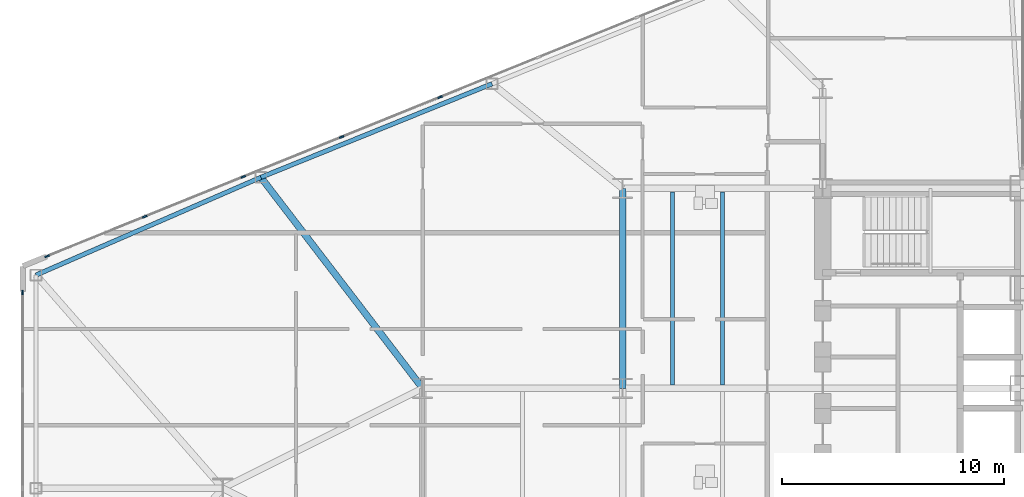
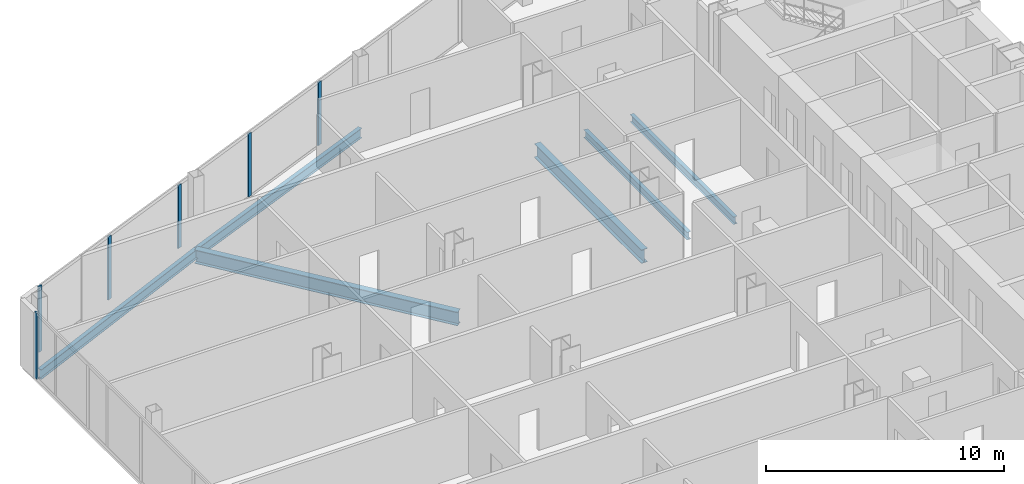
# One storey, part 6 of 25: 6 beams, 6 members, 2 elements without a shape of their own.
"""IFC4 building model written with IfcOpenShell, lengths in metres."""

from ifc_helpers import new_model, si_unit, direction, frame, origin, origin_2d, place, context, subcontext, project, spatial, rectangle, i_section, extrude, source, transform, mapped, material, layer, layer_set, material_profile, profile_set, type_object, type_shapes, element, aggregate, save


model = new_model("IFC4")

# Units and contexts
model_context = context("Model", 3, precision=1e-05, world=origin(), true_north=direction((0.0, 1.0)))
body_context = subcontext(model_context, "Body", "Model", "MODEL_VIEW")
ifc_project = project(units=[si_unit("LENGTHUNIT", "METRE"), si_unit("AREAUNIT", "SQUARE_METRE"), si_unit("VOLUMEUNIT", "CUBIC_METRE"), si_unit("PLANEANGLEUNIT", "RADIAN"), si_unit("MASSUNIT", "GRAM", prefix="KILO")], contexts=[model_context])

# Site, building, storey
site_placement = place(None, origin())
site = spatial("IfcSite", under=ifc_project, at=site_placement, CompositionType="ELEMENT")
building_placement = place(site_placement, origin())
building = spatial("IfcBuilding", under=site, at=building_placement, Name="Seokmaru Belvedere", CompositionType="ELEMENT")
storey_placement = place(building_placement, frame((0.0, 0.0, 36.89990234375)))
storey = spatial("IfcBuildingStorey", under=building, at=storey_placement, Name="L09", CompositionType="ELEMENT", Elevation=36.89990234375)

# Beams
ifc_material_1 = material(Name="Steel SM355 (355 MPa)", Category="steel")
ifc_material_profile_1 = material_profile(ifc_material_1, i_section(OverallWidth=0.300048828125, OverallDepth=0.699951171875, WebThickness=0.012939453125, FlangeThickness=0.02392578125, at=origin_2d()), Name="H-700x300x13x24")
ifc_profile_set_1 = profile_set([ifc_material_profile_1], Name="Steel SM355 (355 MPa)")
beam_type_1 = type_object("IfcBeamType", Name="Primary Floor Girder H-700", PredefinedType="BEAM", material=ifc_profile_set_1)
shared_shape_1 = source(origin(), body_context, "Body", "SweptSolid", [
    extrude(i_section(OverallWidth=0.300048828125, OverallDepth=0.699951171875, WebThickness=0.012939453125, FlangeThickness=0.02392578125, at=origin_2d()), origin(), (0.0, 0.0, 1.0), 9.0),
])
beam_1_placement = place(storey_placement, frame((-45.5, 4.5, -0.56982421875), z_axis=(0.0, 1.0, 0.0), x_axis=(-1.0, 0.0, 0.0)))
element("IfcBeam", 1, at=beam_1_placement, inside=storey, type_object=beam_type_1, Name="L09 W Interior Grid Girder 3", PredefinedType="BEAM", context=body_context, shape_type="MappedRepresentation", body=[
    mapped(shared_shape_1, transform((0.0, 0.0, 0.0), scale=1.0)),
])
ifc_material_profile_2 = material_profile(ifc_material_1, i_section(OverallWidth=0.18505859375, OverallDepth=0.389892578125, WebThickness=0.008056640625, FlangeThickness=0.011962890625, at=origin_2d()), Name="H-390x185x8x12")
ifc_profile_set_2 = profile_set([ifc_material_profile_2], Name="Steel SM355 (355 MPa)")
beam_type_2 = type_object("IfcBeamType", Name="Secondary Floor Joist H-350", PredefinedType="JOIST", material=ifc_profile_set_2)
shared_shape_2 = source(origin(), body_context, "Body", "SweptSolid", [
    extrude(i_section(OverallWidth=0.18505859375, OverallDepth=0.389892578125, WebThickness=0.008056640625, FlangeThickness=0.011962890625, at=origin_2d()), origin(), (0.0, 0.0, 1.0), 8.68994140625),
])
type_shapes(beam_type_2, [shared_shape_2])
for number, where, z_axis, x_axis, name in (
    (2, (-43.25, 4.655029296875, -0.414794921875), (0.0, 1.0, 0.0), (-1.0, 0.0, 0.0), "L09 W Wing Inner Secondary Joist 2"),
    (3, (-41.0, 4.655029296875, -0.414794921875), (0.0, 1.0, 0.0), (-1.0, 0.0, 0.0), "L09 W Secondary Floor Joist 3"),
):
    element("IfcBeam", number, at=place(storey_placement, frame(where, z_axis=z_axis, x_axis=x_axis)), inside=storey, type_object=beam_type_2, Name=name, PredefinedType="JOIST", context=body_context, shape_type="MappedRepresentation", body=[
        mapped(shared_shape_2, transform((0.0, 0.0, 0.0), scale=1.0)),
    ])
ifc_material_profile_3 = material_profile(ifc_material_1, i_section(OverallWidth=0.199951171875, OverallDepth=0.5, WebThickness=0.010009765625, FlangeThickness=0.01611328125, at=origin_2d()), Name="H-500x200x10x16")
ifc_profile_set_3 = profile_set([ifc_material_profile_3], Name="Steel SM355 (355 MPa)")
beam_type_3 = type_object("IfcBeamType", Name="Perimeter Spandrel Beam H-500", PredefinedType="SPANDREL", material=ifc_profile_set_3)
shared_shape_3 = source(origin(), body_context, "Body", "SweptSolid", [
    extrude(i_section(OverallWidth=0.199951171875, OverallDepth=0.5, WebThickness=0.010009765625, FlangeThickness=0.01611328125, at=origin_2d()), origin(), (0.0, 0.0, 1.0), 11.220703125),
])
beam_2_placement = place(storey_placement, frame((-51.378173828125, 18.2041015625, -0.469970703125), z_axis=(-0.926944290816, -0.375198989503, 0.0), x_axis=(0.375198989503, -0.926944290816, 0.0)))
element("IfcBeam", 4, at=beam_2_placement, inside=storey, type_object=beam_type_3, Name="L09 W Faceted Flank Spandrel N-3", PredefinedType="SPANDREL", context=body_context, shape_type="MappedRepresentation", body=[
    mapped(shared_shape_3, transform((0.0, 0.0, 0.0), scale=1.0)),
])
shared_shape_4 = source(origin(), body_context, "Body", "SweptSolid", [
    extrude(i_section(OverallWidth=0.199951171875, OverallDepth=0.5, WebThickness=0.010009765625, FlangeThickness=0.01611328125, at=origin_2d()), origin(), (0.0, 0.0, 1.0), 11.035400390625),
])
type_shapes(beam_type_3, [shared_shape_3, shared_shape_4])
beam_3_placement = place(storey_placement, frame((-61.779052734375, 13.994140625, -0.469970703125), z_axis=(-0.917134058682, -0.398578873507, 0.0), x_axis=(0.398578873507, -0.917134058682, 0.0)))
element("IfcBeam", 5, at=beam_3_placement, inside=storey, type_object=beam_type_3, Name="L09 W Faceted Flank Spandrel N-4", PredefinedType="SPANDREL", context=body_context, shape_type="MappedRepresentation", body=[
    mapped(shared_shape_4, transform((0.0, 0.0, 0.0), scale=1.0)),
])
shared_shape_5 = source(origin(), body_context, "Body", "SweptSolid", [
    extrude(i_section(OverallWidth=0.300048828125, OverallDepth=0.699951171875, WebThickness=0.012939453125, FlangeThickness=0.02392578125, at=origin_2d()), origin(), (0.0, 0.0, 1.0), 11.96337890625),
])
type_shapes(beam_type_1, [shared_shape_1, shared_shape_5])
beam_4_placement = place(storey_placement, frame((-61.779052734375, 13.994140625, -0.56982421875), z_axis=(0.608442682624, -0.793597821294, 0.0), x_axis=(0.793597821294, 0.608442682624, 0.0)))
element("IfcBeam", 6, at=beam_4_placement, inside=storey, type_object=beam_type_1, Name="L09 W Flank Radial Floor Girder N-3", PredefinedType="BEAM", context=body_context, shape_type="MappedRepresentation", body=[
    mapped(shared_shape_5, transform((0.0, 0.0, 0.0), scale=1.0)),
])

# Curtain wall, member
ifc_material_2 = material(Name="Bronze Triple Insulating Glass", Category="glass")
ifc_layer = layer(ifc_material_2, 0.2099609375)
ifc_layer_set = layer_set([ifc_layer], Name="Bronze Triple Insulating Glass")
curtain_wall_type = type_object("IfcCurtainWallType", Name="Low-Rise Faceted Crystal Curtain Wall System CW-2", PredefinedType="NOTDEFINED", material=ifc_layer_set)
curtain_wall_1_placement = place(storey_placement, origin())
curtain_wall_1 = element("IfcCurtainWall", 7, at=curtain_wall_1_placement, inside=storey, type_object=curtain_wall_type, Name="L09 Curtain Wall WF3", PredefinedType="NOTDEFINED")
ifc_material_3 = material(Name="Anodised Bronze Aluminium", Category="aluminium")
ifc_material_profile_4 = material_profile(ifc_material_3, rectangle(XDim=0.074951171875, YDim=0.2099609375, at=origin_2d()), Name="CW-M-75x210")
ifc_profile_set_4 = profile_set([ifc_material_profile_4], Name="Anodised Bronze Aluminium")
member_type = type_object("IfcMemberType", Name="Bronze Unitised Mullion 75x210", PredefinedType="MULLION", material=ifc_profile_set_4)
shared_shape_6 = source(origin(), body_context, "Body", "SweptSolid", [
    extrude(rectangle(XDim=0.074951171875, YDim=0.2099609375, at=origin_2d()), origin(), (0.0, 0.0, 1.0), 3.380126953125),
])
member_1_placement = place(storey_placement, frame((-71.399169921875, 10.445556640625, 0.0), z_axis=(0.0, 0.0, 1.0), x_axis=(0.375192321888, -0.926946989637, 0.0)))
member_1 = element("IfcMember", 8, at=member_1_placement, type_object=member_type, Name="CW:L09:WF3 Mullion 10", PredefinedType="MULLION", context=body_context, shape_type="MappedRepresentation", body=[
    mapped(shared_shape_6, transform((0.0, 0.0, 0.0), scale=1.0)),
])

curtain_wall_2_placement = place(storey_placement, origin())
curtain_wall_2 = element("IfcCurtainWall", 9, at=curtain_wall_2_placement, inside=storey, type_object=curtain_wall_type, Name="L09 Curtain Wall WF4", PredefinedType="NOTDEFINED")
member_2_placement = place(storey_placement, frame((-72.5, 8.8125, 0.0), z_axis=(0.0, 0.0, 1.0), x_axis=(1.0, 0.0, 0.0)))
member_2 = element("IfcMember", 10, at=member_2_placement, type_object=member_type, Name="CW:L09:WF4 Mullion 1", PredefinedType="MULLION", context=body_context, shape_type="MappedRepresentation", body=[
    mapped(shared_shape_6, transform((0.0, 0.0, 0.0), scale=1.0)),
])
aggregate(curtain_wall_2, [member_2])

# Member
shared_shape_7 = source(origin(), body_context, "Body", "SweptSolid", [
    extrude(rectangle(XDim=0.074951171875, YDim=0.2099609375, at=origin_2d()), origin(), (0.0, 0.0, 1.0), 3.239990234375),
])
type_shapes(member_type, [shared_shape_6, shared_shape_7])
member_3_placement = place(storey_placement, frame((-53.71484375, 17.603515625, 0.070068359375), z_axis=(0.0, 0.0, 1.0), x_axis=(0.375192321888, -0.926946989637, 0.0)))
member_3 = element("IfcMember", 11, at=member_3_placement, type_object=member_type, Name="CW:L09:WF3 Mullion 6", PredefinedType="MULLION", context=body_context, shape_type="MappedRepresentation", body=[
    mapped(shared_shape_7, transform((0.0, 0.0, 0.0), scale=1.0)),
])

member_4_placement = place(storey_placement, frame((-58.144775390625, 15.810546875, 0.070068359375), z_axis=(0.0, 0.0, 1.0), x_axis=(0.375192321888, -0.926946989637, 0.0)))
member_4 = element("IfcMember", 12, at=member_4_placement, type_object=member_type, Name="CW:L09:WF3 Mullion 7", PredefinedType="MULLION", context=body_context, shape_type="MappedRepresentation", body=[
    mapped(shared_shape_7, transform((0.0, 0.0, 0.0), scale=1.0)),
])

member_5_placement = place(storey_placement, frame((-62.574462890625, 14.017578125, 0.070068359375), z_axis=(0.0, 0.0, 1.0), x_axis=(0.375192321888, -0.926946989637, 0.0)))
member_5 = element("IfcMember", 13, at=member_5_placement, type_object=member_type, Name="CW:L09:WF3 Mullion 8", PredefinedType="MULLION", context=body_context, shape_type="MappedRepresentation", body=[
    mapped(shared_shape_7, transform((0.0, 0.0, 0.0), scale=1.0)),
])

member_6_placement = place(storey_placement, frame((-67.004150390625, 12.224609375, 0.070068359375), z_axis=(0.0, 0.0, 1.0), x_axis=(0.375192321888, -0.926946989637, 0.0)))
member_6 = element("IfcMember", 14, at=member_6_placement, type_object=member_type, Name="CW:L09:WF3 Mullion 9", PredefinedType="MULLION", context=body_context, shape_type="MappedRepresentation", body=[
    mapped(shared_shape_7, transform((0.0, 0.0, 0.0), scale=1.0)),
])

aggregate(curtain_wall_1, [member_3, member_4, member_5, member_6, member_1])

save(model, "model.ifc")
